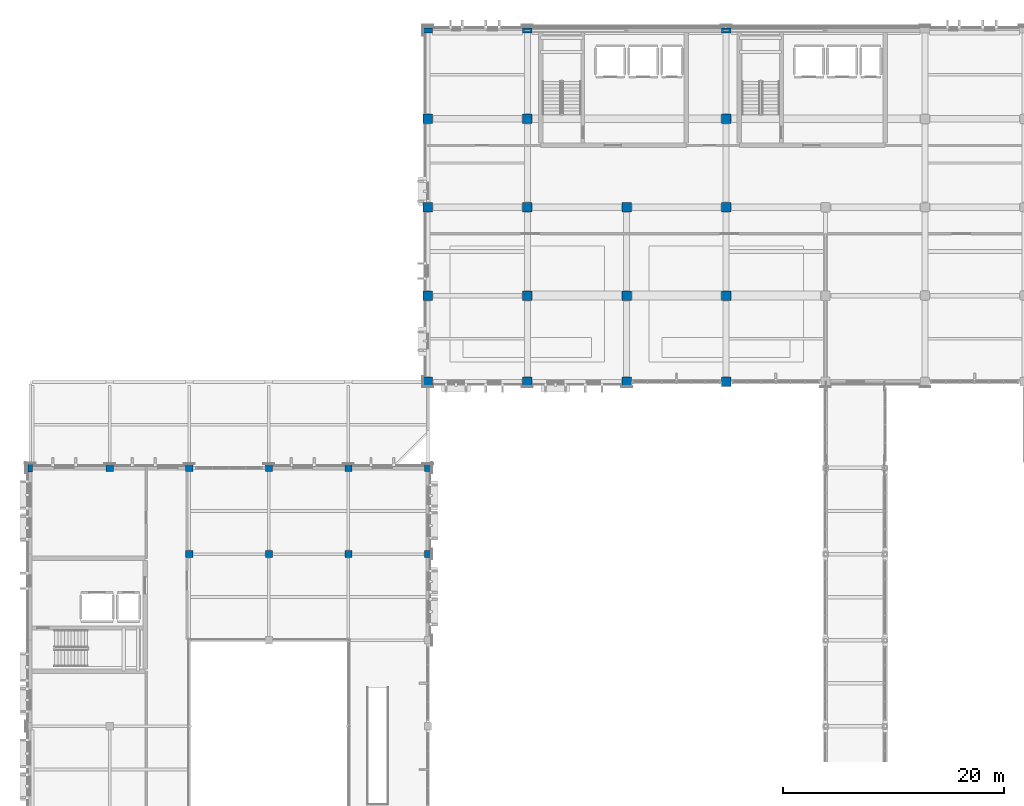
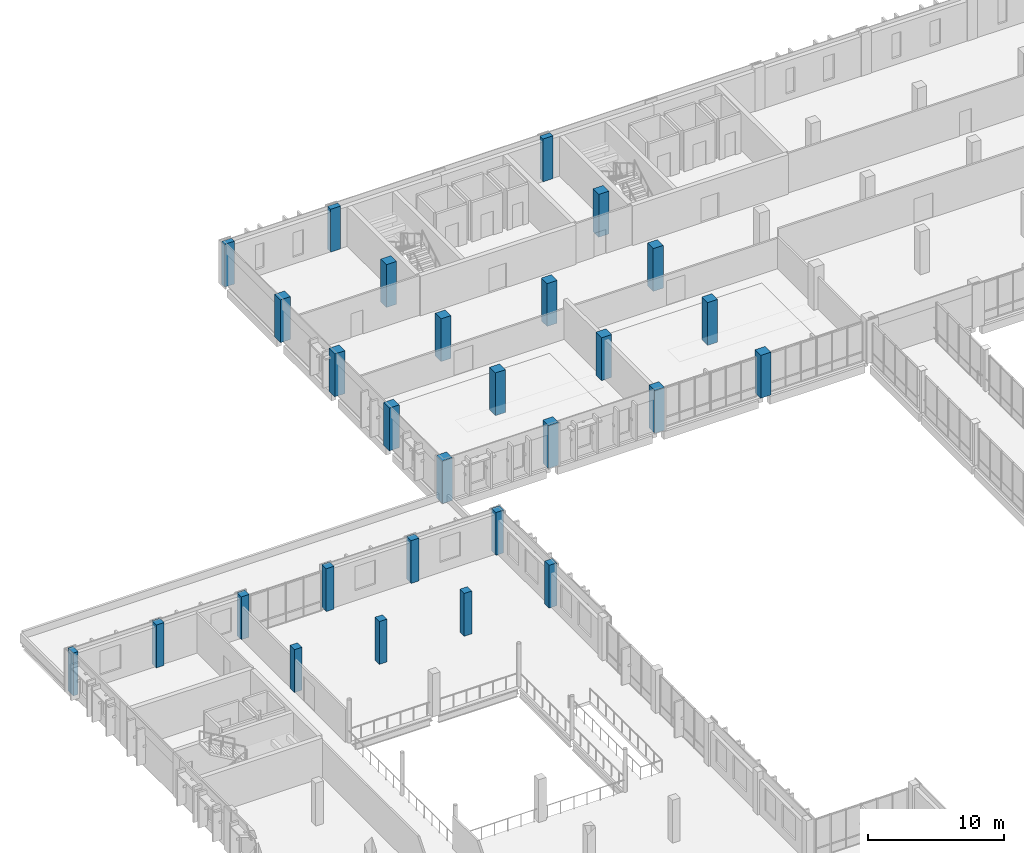
# One storey, part 9 of 85: 28 columns.
"""IFC4 building model written with IfcOpenShell, lengths in metres."""

from ifc_helpers import new_model, si_unit, direction, frame, origin, origin_2d, place, context, subcontext, project, spatial, rectangle, extrude, material, material_profile, profile_set, type_object, element, save


model = new_model("IFC4")

# Units and contexts
model_context = context("Model", 3, precision=1e-05, world=origin(), true_north=direction((0.0, 1.0)))
body_context = subcontext(model_context, "Body", "Model", "MODEL_VIEW")
ifc_project = project(units=[si_unit("LENGTHUNIT", "METRE"), si_unit("AREAUNIT", "SQUARE_METRE"), si_unit("VOLUMEUNIT", "CUBIC_METRE"), si_unit("PLANEANGLEUNIT", "RADIAN"), si_unit("MASSUNIT", "GRAM", prefix="KILO")], contexts=[model_context])

# Site, building, storey
site_placement = place(None, origin())
site = spatial("IfcSite", under=ifc_project, at=site_placement, CompositionType="ELEMENT")
building_placement = place(site_placement, origin())
building = spatial("IfcBuilding", under=site, at=building_placement, Name="Vervanel Yard Central Library", CompositionType="ELEMENT")
storey_placement = place(building_placement, frame((0.0, 0.0, 5.10009765625)))
storey = spatial("IfcBuildingStorey", under=building, at=storey_placement, Name="L01", CompositionType="ELEMENT", Elevation=5.10009765625)

# Columns
ifc_material_1 = material(Name="Concrete C40/50", Category="concrete")
ifc_material_profile_1 = material_profile(ifc_material_1, rectangle(XDim=0.64990234375, YDim=0.64990234375, at=origin_2d()), Name="RC 650x650", Category="concrete")
ifc_profile_set_1 = profile_set([ifc_material_profile_1], Name="Concrete C40/50")
column_type_1 = type_object("IfcColumnType", Name="Concrete Column 650x650", PredefinedType="COLUMN", material=ifc_profile_set_1)
for number, where, z_axis, x_axis, name in (
    (1, (7.199951171875, 74.39990234375, 0.0), (0.0, 0.0, 1.0), (1.0, 0.0, 0.0), "L01 Concrete Column 650x650 (7.2, 74.4)"),
    (2, (14.39990234375, 66.60009765625, 0.0), (0.0, 0.0, 1.0), (1.0, 0.0, 0.0), "L01 Concrete Column 650x650 (14.4, 66.6)"),
    (3, (14.39990234375, 74.39990234375, 0.0), (0.0, 0.0, 1.0), (1.0, 0.0, 0.0), "L01 Concrete Column 650x650 (14.4, 74.4)"),
    (4, (21.60009765625, 66.60009765625, 0.0), (0.0, 0.0, 1.0), (1.0, 0.0, 0.0), "L01 Concrete Column 650x650 (21.6, 66.6)"),
    (5, (21.60009765625, 74.39990234375, 0.0), (0.0, 0.0, 1.0), (1.0, 0.0, 0.0), "L01 Concrete Column 650x650 (21.6, 74.4)"),
    (6, (28.800048828125, 66.60009765625, 0.0), (0.0, 0.0, 1.0), (1.0, 0.0, 0.0), "L01 Concrete Column 650x650 (28.8, 66.6)"),
    (7, (28.800048828125, 74.39990234375, 0.0), (0.0, 0.0, 1.0), (1.0, 0.0, 0.0), "L01 Concrete Column 650x650 (28.8, 74.4)"),
    (8, (36.0, 66.60009765625, 0.0), (0.0, 0.0, 1.0), (1.0, 0.0, 0.0), "L01 Concrete Column 650x650 (36.0, 66.6)"),
    (9, (36.0, 74.39990234375, 0.0), (0.0, 0.0, 1.0), (1.0, 0.0, 0.0), "L01 Concrete Column 650x650 (36.0, 74.4)"),
):
    element("IfcColumn", number, at=place(storey_placement, frame(where, z_axis=z_axis, x_axis=x_axis)), inside=storey, type_object=column_type_1, Name=name, PredefinedType="COLUMN", context=body_context, shape_type="SweptSolid", body=[
        extrude(rectangle(XDim=0.64990234375, YDim=0.64990234375, at=origin_2d()), origin(), (0.0, 0.0, 1.0), 3.83984375),
    ])
ifc_material_2 = material(Name="Concrete C45/55", Category="concrete")
ifc_material_profile_2 = material_profile(ifc_material_2, rectangle(XDim=0.85009765625, YDim=0.85009765625, at=origin_2d()), Name="RC 850x850", Category="concrete")
ifc_profile_set_2 = profile_set([ifc_material_profile_2], Name="Concrete C45/55")
column_type_2 = type_object("IfcColumnType", Name="Concrete Column 850x850", PredefinedType="COLUMN", material=ifc_profile_set_2)
for number, where, z_axis, x_axis, name in (
    (10, (36.0, 82.199951171875, 0.0), (0.0, 0.0, 1.0), (1.0, 0.0, 0.0), "L01 Concrete Column 850x850 (36.0, 82.2)"),
    (11, (36.0, 90.0, 0.0), (0.0, 0.0, 1.0), (1.0, 0.0, 0.0), "L01 Concrete Column 850x850 (36.0, 90.0)"),
    (12, (36.0, 98.0, 0.0), (0.0, 0.0, 1.0), (1.0, 0.0, 0.0), "L01 Concrete Column 850x850 (36.0, 98.0)"),
    (13, (36.0, 106.0, 0.0), (0.0, 0.0, 1.0), (1.0, 0.0, 0.0), "L01 Concrete Column 850x850 (36.0, 106.0)"),
    (14, (45.0, 82.199951171875, 0.0), (0.0, 0.0, 1.0), (1.0, 0.0, 0.0), "L01 Concrete Column 850x850 (45.0, 82.2)"),
    (15, (45.0, 90.0, 0.0), (0.0, 0.0, 1.0), (1.0, 0.0, 0.0), "L01 Concrete Column 850x850 (45.0, 90.0)"),
    (16, (45.0, 98.0, 0.0), (0.0, 0.0, 1.0), (1.0, 0.0, 0.0), "L01 Concrete Column 850x850 (45.0, 98.0)"),
    (17, (45.0, 106.0, 0.0), (0.0, 0.0, 1.0), (1.0, 0.0, 0.0), "L01 Concrete Column 850x850 (45.0, 106.0)"),
    (18, (54.0, 82.199951171875, 0.0), (0.0, 0.0, 1.0), (1.0, 0.0, 0.0), "L01 Concrete Column 850x850 (54.0, 82.2)"),
    (19, (54.0, 90.0, 0.0), (0.0, 0.0, 1.0), (1.0, 0.0, 0.0), "L01 Concrete Column 850x850 (54.0, 90.0)"),
    (20, (54.0, 98.0, 0.0), (0.0, 0.0, 1.0), (1.0, 0.0, 0.0), "L01 Concrete Column 850x850 (54.0, 98.0)"),
    (21, (63.0, 82.199951171875, 0.0), (0.0, 0.0, 1.0), (1.0, 0.0, 0.0), "L01 Concrete Column 850x850 (63.0, 82.2)"),
    (22, (63.0, 90.0, 0.0), (0.0, 0.0, 1.0), (1.0, 0.0, 0.0), "L01 Concrete Column 850x850 (63.0, 90.0)"),
    (23, (63.0, 98.0, 0.0), (0.0, 0.0, 1.0), (1.0, 0.0, 0.0), "L01 Concrete Column 850x850 (63.0, 98.0)"),
    (24, (63.0, 106.0, 0.0), (0.0, 0.0, 1.0), (1.0, 0.0, 0.0), "L01 Concrete Column 850x850 (63.0, 106.0)"),
):
    element("IfcColumn", number, at=place(storey_placement, frame(where, z_axis=z_axis, x_axis=x_axis)), inside=storey, type_object=column_type_2, Name=name, PredefinedType="COLUMN", context=body_context, shape_type="SweptSolid", body=[
        extrude(rectangle(XDim=0.85009765625, YDim=0.85009765625, at=origin_2d()), origin(), (0.0, 0.0, 1.0), 3.83984375),
    ])
ifc_material_profile_3 = material_profile(ifc_material_1, rectangle(XDim=0.419921875, YDim=0.780029296875, at=origin_2d()), Name="RC 420x780", Category="concrete")
ifc_profile_set_3 = profile_set([ifc_material_profile_3], Name="Concrete C40/50")
column_type_3 = type_object("IfcColumnType", Name="Perimeter Pilaster 420x780", PredefinedType="PILASTER", material=ifc_profile_set_3)
column_placement = place(storey_placement, frame((0.0, 74.39990234375, 0.0), z_axis=(0.0, 0.0, 1.0), x_axis=(1.0, 0.0, 0.0)))
element("IfcColumn", 25, at=column_placement, inside=storey, type_object=column_type_3, Name="L01 Perimeter Pilaster 420x780 (0.0, 74.4)", PredefinedType="PILASTER", context=body_context, shape_type="SweptSolid", body=[
    extrude(rectangle(XDim=0.419921875, YDim=0.780029296875, at=origin_2d()), origin(), (0.0, 0.0, 1.0), 3.83984375),
])
ifc_material_profile_4 = material_profile(ifc_material_2, rectangle(XDim=0.449951171875, YDim=0.85009765625, at=origin_2d()), Name="RC 450x850", Category="concrete")
ifc_profile_set_4 = profile_set([ifc_material_profile_4], Name="Concrete C45/55")
column_type_4 = type_object("IfcColumnType", Name="Stack Spine Column 450x850", PredefinedType="COLUMN", material=ifc_profile_set_4)
for number, where, z_axis, x_axis, name in (
    (26, (36.0, 114.0, 0.0), (0.0, 0.0, 1.0), (0.0, 1.0, 0.0), "L01 Stack Spine Column 450x850 (36.0, 114.0)"),
    (27, (45.0, 114.0, 0.0), (0.0, 0.0, 1.0), (0.0, 1.0, 0.0), "L01 Stack Spine Column 450x850 (45.0, 114.0)"),
    (28, (63.0, 114.0, 0.0), (0.0, 0.0, 1.0), (0.0, 1.0, 0.0), "L01 Stack Spine Column 450x850 (63.0, 114.0)"),
):
    element("IfcColumn", number, at=place(storey_placement, frame(where, z_axis=z_axis, x_axis=x_axis)), inside=storey, type_object=column_type_4, Name=name, PredefinedType="COLUMN", context=body_context, shape_type="SweptSolid", body=[
        extrude(rectangle(XDim=0.449951171875, YDim=0.85009765625, at=origin_2d()), origin(), (0.0, 0.0, 1.0), 3.83984375),
    ])

save(model, "model.ifc")
